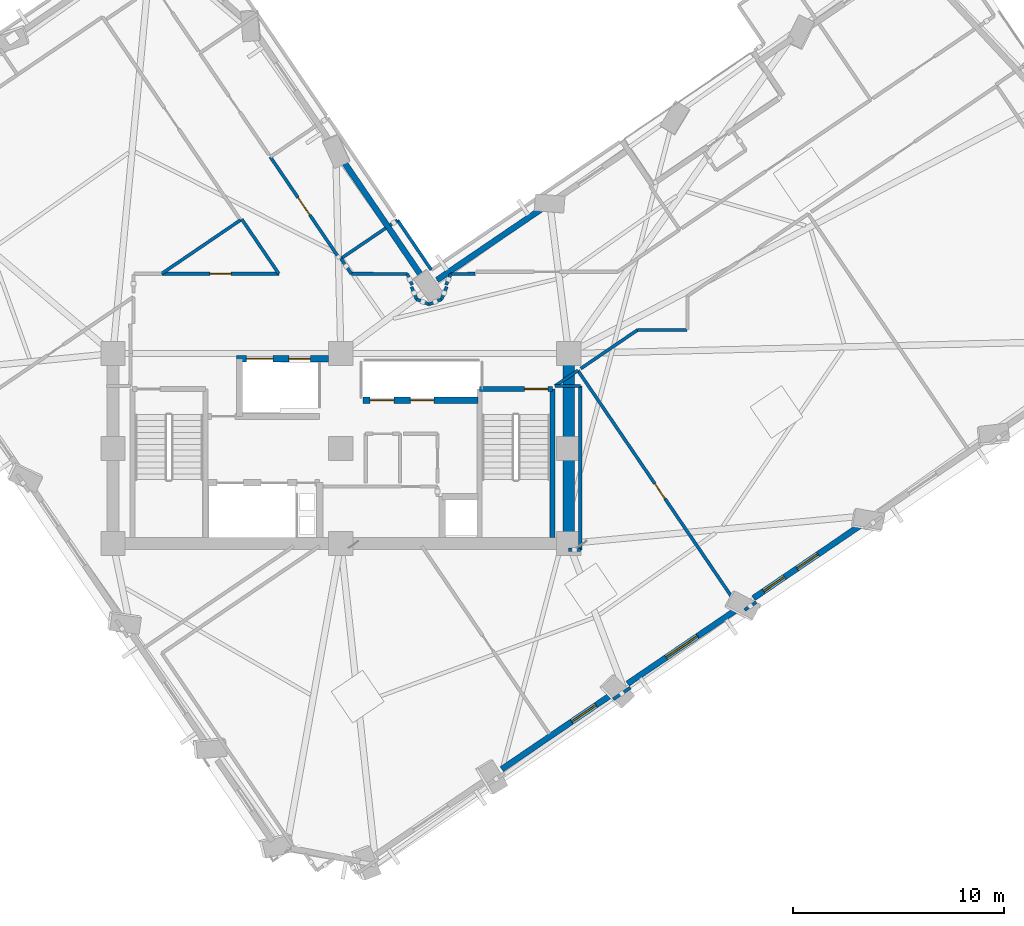
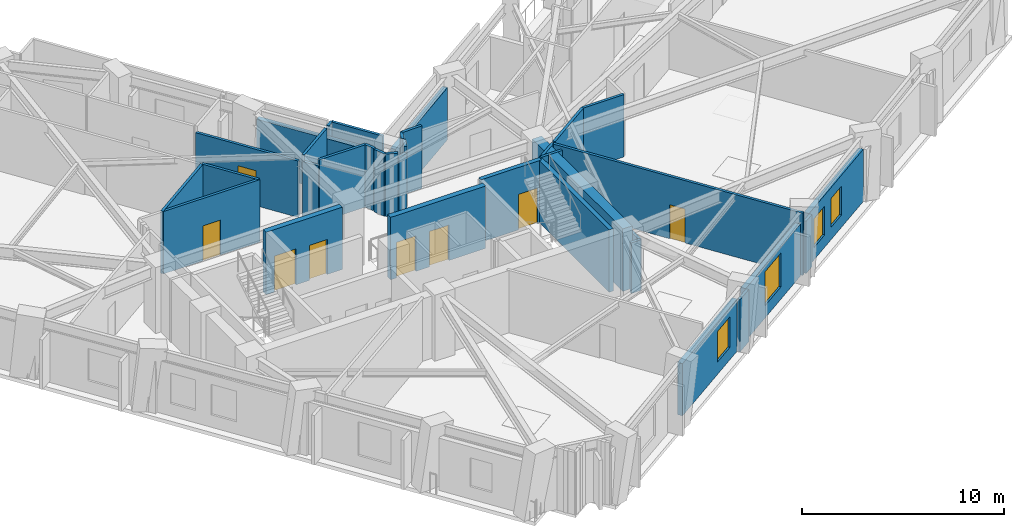
# One storey, part 9 of 16: 35 walls, 8 doors, 4 windows, 12 openings.
"""IFC4 building model written with IfcOpenShell, lengths in metres."""

from ifc_helpers import new_model, si_unit, direction, frame, frame_2d, origin, place, context, subcontext, project, spatial, rectangle, extrude, material, layer, layer_set, type_object, element, fill, save


model = new_model("IFC4")

# Units and contexts
model_context = context("Model", 3, precision=1e-05, world=origin(), true_north=direction((0.0, 1.0)))
body_context = subcontext(model_context, "Body", "Model", "MODEL_VIEW")
ifc_project = project(units=[si_unit("LENGTHUNIT", "METRE"), si_unit("AREAUNIT", "SQUARE_METRE"), si_unit("VOLUMEUNIT", "CUBIC_METRE"), si_unit("PLANEANGLEUNIT", "RADIAN"), si_unit("MASSUNIT", "GRAM", prefix="KILO")], contexts=[model_context])

# Site, building, storey
site_placement = place(None, origin())
site = spatial("IfcSite", under=ifc_project, at=site_placement, CompositionType="ELEMENT")
building_placement = place(site_placement, origin())
building = spatial("IfcBuilding", under=site, at=building_placement, Name="Gaonmaruhae Medical Tower", CompositionType="ELEMENT")
storey_placement = place(building_placement, frame((0.0, 0.0, 169.800048828125)))
storey = spatial("IfcBuildingStorey", under=building, at=storey_placement, Name="L40", CompositionType="ELEMENT", Elevation=169.800048828125)

# Wall
ifc_material_1 = material(Name="Concrete C50/60", Category="concrete")
ifc_layer_1 = layer(ifc_material_1, 0.550048828125)
ifc_layer_set_1 = layer_set([ifc_layer_1], Name="Concrete C50/60")
wall_type_1 = type_object("IfcWallType", Name="CW-550 Mid-High Core Shear Wall", PredefinedType="SHEAR", material=ifc_layer_set_1)
wall_1_placement = place(storey_placement, frame((35.60009765625, 7.800048828125, 0.0), z_axis=(0.0, 0.0, 1.0), x_axis=(0.0, 1.0, 0.0)))
element("IfcWall", 1, at=wall_1_placement, inside=storey, type_object=wall_type_1, Name="L40 Core Shear Wall CSW-E1", PredefinedType="SHEAR", context=body_context, shape_type="SweptSolid", body=[
    extrude(rectangle(XDim=9.0, YDim=0.550048828125, at=frame_2d((4.5, 0.0))), origin(), (0.0, 0.0, 1.0), 3.780029296875),
])

# Wall, opening, window
ifc_material_2 = material(Name="Precast concrete C45/55", Category="concrete")
ifc_layer_2 = layer(ifc_material_2, 0.280029296875)
ifc_layer_set_2 = layer_set([ifc_layer_2], Name="Precast concrete C45/55")
wall_type_2 = type_object("IfcWallType", Name="EW-280 Upper Precast Masonry-Frame Facade Wall", PredefinedType="SOLIDWALL", material=ifc_layer_set_2)
wall_2_placement = place(storey_placement, frame((37.583740234375, 0.60546875, 0.0), z_axis=(0.0, 0.0, 1.0), x_axis=(-0.827083071676, -0.562079703019, 0.0)))
wall_2 = element("IfcWall", 2, at=wall_2_placement, inside=storey, type_object=wall_type_2, Name="L40 Precast Masonry-Frame Wall S02-S03", PredefinedType="SOLIDWALL", context=body_context, shape_type="SweptSolid", body=[
    extrude(rectangle(XDim=6.234375, YDim=0.280029296875, at=frame_2d((3.1171875, 0.0))), origin(), (0.0, 0.0, 1.0), 3.1650390625),
])
opening_1_placement = place(wall_2_placement, frame((0.831787109375, 0.0, 0.75)))
opening_1 = element("IfcOpeningElement", 3, at=opening_1_placement, cuts=wall_2, Name="Opening WN-03", PredefinedType="OPENING", context=body_context, shape_type="SweptSolid", body=[
    extrude(rectangle(XDim=1.39990234375, YDim=1.85009765625, at=frame_2d((0.699951171875, 0.925048828125))), frame((0.0, 0.14990234375, 0.0), z_axis=(0.0, -1.0, 0.0), x_axis=(1.0, 0.0, 0.0)), (0.0, 0.0, 1.0), 0.300048828125),
])
ifc_material_3 = material(Name="Anodised aluminium and Low-E double glazing", Category="aluminium")
window_type_1 = type_object("IfcWindowType", Name="WN-03 Isolation Ward Punched Window 1400x1850", PartitioningType="SINGLE_PANEL", PredefinedType="WINDOW", material=ifc_material_3)
window_1_placement = place(opening_1_placement, origin())
window_1 = element("IfcWindow", 4, at=window_1_placement, inside=storey, type_object=window_type_1, Name="L40 Modular Facade Window S02", OverallHeight=1.85009765625, OverallWidth=1.39990234375, PartitioningType="SINGLE_PANEL", PredefinedType="WINDOW", context=body_context, shape_type="SweptSolid", body=[
    extrude(rectangle(XDim=1.39990234375, YDim=1.85009765625, at=frame_2d((0.699951171875, 0.925048828125))), frame((0.0, 0.030029296875, 0.0), z_axis=(0.0, -1.0, 0.0), x_axis=(1.0, 0.0, 0.0)), (0.0, 0.0, 1.0), 0.06005859375),
])
fill(opening_1, window_1)

wall_3_placement = place(storey_placement, frame((43.533203125, 4.648681640625, 0.0), z_axis=(0.0, 0.0, 1.0), x_axis=(-0.827079193972, -0.5620854089, 0.0)))
wall_3 = element("IfcWall", 5, at=wall_3_placement, inside=storey, type_object=wall_type_2, Name="L40 Precast Masonry-Frame Wall S03-S04", PredefinedType="SOLIDWALL", context=body_context, shape_type="SweptSolid", body=[
    extrude(rectangle(XDim=6.214111328125, YDim=0.280029296875, at=frame_2d((3.10693359375, 0.0))), origin(), (0.0, 0.0, 1.0), 3.1650390625),
])
opening_2_placement = place(wall_3_placement, frame((2.20556640625, 0.0, 0.75)))
opening_2 = element("IfcOpeningElement", 6, at=opening_2_placement, cuts=wall_3, Name="Opening WN-04", PredefinedType="OPENING", context=body_context, shape_type="SweptSolid", body=[
    extrude(rectangle(XDim=1.800048828125, YDim=2.050048828125, at=frame_2d((0.89990234375, 1.02490234375))), frame((0.0, 0.14990234375, 0.0), z_axis=(0.0, -1.0, 0.0), x_axis=(1.0, 0.0, 0.0)), (0.0, 0.0, 1.0), 0.300048828125),
])
window_type_2 = type_object("IfcWindowType", Name="WN-04 Clinic & Consult Punched Window 1800x2050", PartitioningType="SINGLE_PANEL", PredefinedType="WINDOW", material=ifc_material_3)
window_2_placement = place(opening_2_placement, origin())
window_2 = element("IfcWindow", 7, at=window_2_placement, inside=storey, type_object=window_type_2, Name="L40 Modular Facade Window S03", OverallHeight=2.050048828125, OverallWidth=1.800048828125, PartitioningType="SINGLE_PANEL", PredefinedType="WINDOW", context=body_context, shape_type="SweptSolid", body=[
    extrude(rectangle(XDim=1.800048828125, YDim=2.050048828125, at=frame_2d((0.89990234375, 1.02490234375))), frame((0.0, 0.030029296875, 0.0), z_axis=(0.0, -1.0, 0.0), x_axis=(1.0, 0.0, 0.0)), (0.0, 0.0, 1.0), 0.06005859375),
])
fill(opening_2, window_2)

# Wall, openings, windows
wall_4_placement = place(storey_placement, frame((49.488525390625, 8.696044921875, 0.0), z_axis=(0.0, 0.0, 1.0), x_axis=(-0.827074937451, -0.562091672096, 0.0)))
wall_4 = element("IfcWall", 8, at=wall_4_placement, inside=storey, type_object=wall_type_2, Name="L40 Precast Masonry-Frame Wall S04-S05", PredefinedType="SOLIDWALL", context=body_context, shape_type="SweptSolid", body=[
    extrude(rectangle(XDim=6.208984375, YDim=0.280029296875, at=frame_2d((3.1044921875, 0.0))), origin(), (0.0, 0.0, 1.0), 3.1650390625),
])
opening_3_placement = place(wall_4_placement, frame((2.504638671875, 0.0, 0.75)))
opening_3 = element("IfcOpeningElement", 9, at=opening_3_placement, cuts=wall_4, Name="Opening WN-05", PredefinedType="OPENING", context=body_context, shape_type="SweptSolid", body=[
    extrude(rectangle(XDim=1.199951171875, YDim=1.75, at=frame_2d((0.60009765625, 0.875))), frame((0.0, 0.14990234375, 0.0), z_axis=(0.0, -1.0, 0.0), x_axis=(1.0, 0.0, 0.0)), (0.0, 0.0, 1.0), 0.300048828125),
])
opening_4_placement = place(wall_4_placement, frame((4.421630859375, 0.0, 0.75)))
opening_4 = element("IfcOpeningElement", 10, at=opening_4_placement, cuts=wall_4, Name="Opening WN-05", PredefinedType="OPENING", context=body_context, shape_type="SweptSolid", body=[
    extrude(rectangle(XDim=1.199951171875, YDim=1.75, at=frame_2d((0.60009765625, 0.875))), frame((0.0, 0.14990234375, 0.0), z_axis=(0.0, -1.0, 0.0), x_axis=(1.0, 0.0, 0.0)), (0.0, 0.0, 1.0), 0.300048828125),
])
window_type_3 = type_object("IfcWindowType", Name="WN-05 Support & Staff Punched Window 1200x1750", PartitioningType="SINGLE_PANEL", PredefinedType="WINDOW", material=ifc_material_3)
window_3_placement = place(opening_3_placement, origin())
window_3 = element("IfcWindow", 11, at=window_3_placement, inside=storey, type_object=window_type_3, Name="L40 Modular Facade Window S04", OverallHeight=1.75, OverallWidth=1.199951171875, PartitioningType="SINGLE_PANEL", PredefinedType="WINDOW", context=body_context, shape_type="SweptSolid", body=[
    extrude(rectangle(XDim=1.199951171875, YDim=1.75, at=frame_2d((0.60009765625, 0.875))), frame((0.0, 0.030029296875, 0.0), z_axis=(0.0, -1.0, 0.0), x_axis=(1.0, 0.0, 0.0)), (0.0, 0.0, 1.0), 0.06005859375),
])
fill(opening_3, window_3)
window_4_placement = place(opening_4_placement, origin())
window_4 = element("IfcWindow", 12, at=window_4_placement, inside=storey, type_object=window_type_3, Name="L40 Modular Facade Window S04B", OverallHeight=1.75, OverallWidth=1.199951171875, PartitioningType="SINGLE_PANEL", PredefinedType="WINDOW", context=body_context, shape_type="SweptSolid", body=[
    extrude(rectangle(XDim=1.199951171875, YDim=1.75, at=frame_2d((0.60009765625, 0.875))), frame((0.0, 0.030029296875, 0.0), z_axis=(0.0, -1.0, 0.0), x_axis=(1.0, 0.0, 0.0)), (0.0, 0.0, 1.0), 0.06005859375),
])
fill(opening_4, window_4)

# Walls
wall_5_placement = place(storey_placement, frame((29.35888671875, 20.28564453125, 0.0), z_axis=(0.0, 0.0, 1.0), x_axis=(0.82710854775, 0.56204221393, 0.0)))
element("IfcWall", 13, at=wall_5_placement, inside=storey, type_object=wall_type_2, Name="L40 Precast Masonry-Frame Wall EN03-KN01", PredefinedType="SOLIDWALL", context=body_context, shape_type="SweptSolid", body=[
    extrude(rectangle(XDim=5.960205078125, YDim=0.280029296875, at=frame_2d((2.97998046875, 0.0))), origin(), (0.0, 0.0, 1.0), 3.1650390625),
])
wall_6_placement = place(storey_placement, frame((28.693115234375, 20.3671875, 0.0), z_axis=(0.0, 0.0, 1.0), x_axis=(-0.562095643109, 0.827072238682, 0.0)))
element("IfcWall", 14, at=wall_6_placement, inside=storey, type_object=wall_type_2, Name="L40 Precast Masonry-Frame Wall KN01-NE01", PredefinedType="SOLIDWALL", context=body_context, shape_type="SweptSolid", body=[
    extrude(rectangle(XDim=6.760009765625, YDim=0.280029296875, at=frame_2d((3.3798828125, 0.0))), origin(), (0.0, 0.0, 1.0), 3.1650390625),
])
ifc_material_4 = material(Name="Gypsum board partition", Category="gypsum")
ifc_layer_3 = layer(ifc_material_4, 0.14990234375)
ifc_layer_set_3 = layer_set([ifc_layer_3], Name="Gypsum board partition")
wall_type_3 = type_object("IfcWallType", Name="PW-150 Rated Clinical Corridor Partition", PredefinedType="PARTITIONING", material=ifc_layer_set_3)
wall_7_placement = place(storey_placement, frame((36.14990234375, 15.260009765625, 0.0), z_axis=(0.0, 0.0, 1.0), x_axis=(-1.0, 0.0, 0.0)))
element("IfcWall", 15, at=wall_7_placement, inside=storey, type_object=wall_type_3, Name="L40 Interior Partition L40-SUP02-16", PredefinedType="PARTITIONING", context=body_context, shape_type="SweptSolid", body=[
    extrude(rectangle(XDim=1.198974609375, YDim=0.14990234375, at=frame_2d((0.599609375, 0.0))), origin(), (0.0, 0.0, 1.0), 3.780029296875),
])
wall_8_placement = place(storey_placement, frame((34.950927734375, 15.260009765625, 0.0), z_axis=(0.0, 0.0, 1.0), x_axis=(0.827290216258, 0.561774775229, 0.0)))
element("IfcWall", 16, at=wall_8_placement, inside=storey, type_object=wall_type_3, Name="L40 Interior Partition L40-SUP02-17", PredefinedType="PARTITIONING", context=body_context, shape_type="SweptSolid", body=[
    extrude(rectangle(XDim=1.310302734375, YDim=0.14990234375, at=frame_2d((0.6552734375, 0.0))), origin(), (0.0, 0.0, 1.0), 3.780029296875),
])

# Wall, opening, door
wall_9_placement = place(storey_placement, frame((36.034912109375, 15.99609375, 0.0), z_axis=(0.0, 0.0, 1.0), x_axis=(0.562080635052, -0.827082438273, 0.0)))
wall_9 = element("IfcWall", 17, at=wall_9_placement, inside=storey, type_object=wall_type_3, Name="L40 Interior Partition L40-SUP02-18", PredefinedType="PARTITIONING", context=body_context, shape_type="SweptSolid", body=[
    extrude(rectangle(XDim=13.829345703125, YDim=0.14990234375, at=frame_2d((6.91455078125, 0.0))), origin(), (0.0, 0.0, 1.0), 3.780029296875),
])
opening_5_placement = place(wall_9_placement, frame((6.484619140625, 0.0, 0.0)))
opening_5 = element("IfcOpeningElement", 18, at=opening_5_placement, cuts=wall_9, Name="Opening AD-01", PredefinedType="OPENING", context=body_context, shape_type="SweptSolid", body=[
    extrude(rectangle(XDim=0.860107421875, YDim=2.06005859375, at=frame_2d((0.43017578125, 1.030029296875))), frame((0.0, 0.0849609375, 0.0), z_axis=(0.0, -1.0, 0.0), x_axis=(1.0, 0.0, 0.0)), (0.0, 0.0, 1.0), 0.169921875),
])
ifc_material_5 = material(Name="Powder-coated steel access door", Category="steel")
door_type_1 = type_object("IfcDoorType", Name="AD-01 Riser & Closet Access Fire Door 860x2060", OperationType="NOTDEFINED", PredefinedType="DOOR", material=ifc_material_5)
door_1_placement = place(opening_5_placement, origin())
door_1 = element("IfcDoor", 19, at=door_1_placement, inside=storey, type_object=door_type_1, Name="L40 Clinical Biomedical Charting Office Sliding Door", OperationType="SLIDING_TO_LEFT", OverallHeight=2.06005859375, OverallWidth=0.860107421875, PredefinedType="DOOR", context=body_context, shape_type="SweptSolid", body=[
    extrude(rectangle(XDim=0.860107421875, YDim=2.06005859375, at=frame_2d((0.43017578125, 1.030029296875))), frame((0.0, 0.02490234375, 0.0), z_axis=(0.0, -1.0, 0.0), x_axis=(1.0, 0.0, 0.0)), (0.0, 0.0, 1.0), 0.050048828125),
])
fill(opening_5, door_1)

# Walls
wall_10_placement = place(storey_placement, frame((38.52294921875, 0.966064453125, 0.0), z_axis=(0.0, 0.0, 1.0), x_axis=(-0.826838427484, -0.562439521047, 0.0)))
element("IfcWall", 20, at=wall_10_placement, inside=storey, type_object=wall_type_3, Name="L40 Interior Partition L40-SUP02-19", PredefinedType="PARTITIONING", context=body_context, shape_type="SweptSolid", body=[
    extrude(rectangle(XDim=0.979736328125, YDim=0.14990234375, at=frame_2d((0.48974609375, 0.0))), origin(), (0.0, 0.0, 1.0), 3.1650390625),
])
wall_11_placement = place(storey_placement, frame((35.60009765625, 7.5, 0.0), z_axis=(0.0, 0.0, 1.0), x_axis=(1.0, 0.0, 0.0)))
element("IfcWall", 21, at=wall_11_placement, inside=storey, type_object=wall_type_3, Name="L40 Interior Partition L40-SUP02-20", PredefinedType="PARTITIONING", context=body_context, shape_type="SweptSolid", body=[
    extrude(rectangle(XDim=0.5498046875, YDim=0.14990234375, at=frame_2d((0.27490234375, 0.0))), origin(), (0.0, 0.0, 1.0), 3.06494140625),
])
wall_12_placement = place(storey_placement, frame((36.14990234375, 7.5, 0.0), z_axis=(0.0, 0.0, 1.0), x_axis=(0.0, 1.0, 0.0)))
element("IfcWall", 22, at=wall_12_placement, inside=storey, type_object=wall_type_3, Name="L40 Interior Partition L40-SUP02-21", PredefinedType="PARTITIONING", context=body_context, shape_type="SweptSolid", body=[
    extrude(rectangle(XDim=7.760009765625, YDim=0.14990234375, at=frame_2d((3.8798828125, 0.0))), origin(), (0.0, 0.0, 1.0), 3.06494140625),
])
wall_13_placement = place(storey_placement, frame((44.48291015625, 5.01611328125, 0.0), z_axis=(0.0, 0.0, 1.0), x_axis=(-0.826981827203, -0.562228652307, 0.0)))
element("IfcWall", 23, at=wall_13_placement, inside=storey, type_object=wall_type_3, Name="L40 Interior Partition L40-SUP03-26", PredefinedType="PARTITIONING", context=body_context, shape_type="SweptSolid", body=[
    extrude(rectangle(XDim=0.656494140625, YDim=0.14990234375, at=frame_2d((0.328125, 0.0))), origin(), (0.0, 0.0, 1.0), 3.1650390625),
])
wall_14_placement = place(storey_placement, frame((36.1669921875, 16.0859375, 0.0), z_axis=(0.0, 0.0, 1.0), x_axis=(0.827114319799, 0.562033719614, 0.0)))
element("IfcWall", 24, at=wall_14_placement, inside=storey, type_object=wall_type_3, Name="L40 Interior Partition L40-SUP03-27", PredefinedType="PARTITIONING", context=body_context, shape_type="SweptSolid", body=[
    extrude(rectangle(XDim=3.26318359375, YDim=0.14990234375, at=frame_2d((1.631591796875, 0.0))), origin(), (0.0, 0.0, 1.0), 3.780029296875),
])
wall_15_placement = place(storey_placement, frame((38.865966796875, 17.919921875, 0.0), z_axis=(0.0, 0.0, 1.0), x_axis=(1.0, 0.0, 0.0)))
element("IfcWall", 25, at=wall_15_placement, inside=storey, type_object=wall_type_3, Name="L40 Interior Partition L40-SUP03-28", PredefinedType="PARTITIONING", context=body_context, shape_type="SweptSolid", body=[
    extrude(rectangle(XDim=2.3369140625, YDim=0.14990234375, at=frame_2d((1.16845703125, 0.0))), origin(), (0.0, 0.0, 1.0), 3.780029296875),
])
wall_16_placement = place(storey_placement, frame((20.0458984375, 23.1279296875, 0.0), z_axis=(0.0, 0.0, 1.0), x_axis=(-0.826993630253, -0.562211290816, 0.0)))
element("IfcWall", 26, at=wall_16_placement, inside=storey, type_object=wall_type_3, Name="L40 Interior Partition L40-WOF06-52", PredefinedType="PARTITIONING", context=body_context, shape_type="SweptSolid", body=[
    extrude(rectangle(XDim=4.53173828125, YDim=0.14990234375, at=frame_2d((2.265869140625, 0.0))), origin(), (0.0, 0.0, 1.0), 3.780029296875),
])
wall_17_placement = place(storey_placement, frame((31.169921875, 20.580078125, 0.0), z_axis=(0.0, 0.0, 1.0), x_axis=(-0.999990247831, -0.004416360716, 0.0)))
element("IfcWall", 27, at=wall_17_placement, inside=storey, type_object=wall_type_3, Name="L40 Interior Partition L40-IE01-54", PredefinedType="PARTITIONING", context=body_context, shape_type="SweptSolid", body=[
    extrude(rectangle(XDim=1.160888671875, YDim=0.14990234375, at=frame_2d((0.58056640625, 0.0))), origin(), (0.0, 0.0, 1.0), 3.780029296875),
])
wall_18_placement = place(storey_placement, frame((30.009033203125, 20.574951171875, 0.0), z_axis=(0.0, 0.0, 1.0), x_axis=(-0.389808600433, -0.920895898041, 0.0)))
element("IfcWall", 28, at=wall_18_placement, inside=storey, type_object=wall_type_3, Name="L40 Interior Partition L40-IE01-55", PredefinedType="PARTITIONING", context=body_context, shape_type="SweptSolid", body=[
    extrude(rectangle(XDim=0.56689453125, YDim=0.14990234375, at=frame_2d((0.283447265625, 0.0))), origin(), (0.0, 0.0, 1.0), 3.780029296875),
])
wall_19_placement = place(storey_placement, frame((29.81494140625, 19.964111328125, 0.0), z_axis=(0.0, 0.0, 1.0), x_axis=(-0.381980268386, -0.924170479167, 0.0)))
element("IfcWall", 29, at=wall_19_placement, inside=storey, type_object=wall_type_3, Name="L40 Interior Partition L40-IE01-56", PredefinedType="PARTITIONING", context=body_context, shape_type="SweptSolid", body=[
    extrude(rectangle(XDim=0.638427734375, YDim=0.14990234375, at=frame_2d((0.3193359375, 0.0))), origin(), (0.0, 0.0, 1.0), 3.780029296875),
])
wall_20_placement = place(storey_placement, frame((29.571044921875, 19.3740234375, 0.0), z_axis=(0.0, 0.0, 1.0), x_axis=(-0.923811477415, -0.382847690599, 0.0)))
element("IfcWall", 30, at=wall_20_placement, inside=storey, type_object=wall_type_3, Name="L40 Interior Partition L40-IE01-57", PredefinedType="PARTITIONING", context=body_context, shape_type="SweptSolid", body=[
    extrude(rectangle(XDim=0.6376953125, YDim=0.14990234375, at=frame_2d((0.31884765625, 0.0))), origin(), (0.0, 0.0, 1.0), 3.4150390625),
])
wall_21_placement = place(storey_placement, frame((28.98193359375, 19.1298828125, 0.0), z_axis=(0.0, 0.0, 1.0), x_axis=(-0.923979554509, 0.382441868588, 0.0)))
element("IfcWall", 31, at=wall_21_placement, inside=storey, type_object=wall_type_3, Name="L40 Interior Partition L40-IE01-58", PredefinedType="PARTITIONING", context=body_context, shape_type="SweptSolid", body=[
    extrude(rectangle(XDim=0.638427734375, YDim=0.14990234375, at=frame_2d((0.3193359375, 0.0))), origin(), (0.0, 0.0, 1.0), 3.780029296875),
])
wall_22_placement = place(storey_placement, frame((28.39208984375, 19.3740234375, 0.0), z_axis=(0.0, 0.0, 1.0), x_axis=(-0.382306769343, 0.924035461503, 0.0)))
element("IfcWall", 32, at=wall_22_placement, inside=storey, type_object=wall_type_3, Name="L40 Interior Partition L40-IE01-59", PredefinedType="PARTITIONING", context=body_context, shape_type="SweptSolid", body=[
    extrude(rectangle(XDim=0.638671875, YDim=0.14990234375, at=frame_2d((0.3193359375, 0.0))), origin(), (0.0, 0.0, 1.0), 3.780029296875),
])
wall_23_placement = place(storey_placement, frame((28.175048828125, 20.052978515625, 0.0), z_axis=(0.0, 0.0, 1.0), x_axis=(-0.393919298579, 0.919145030018, 0.0)))
element("IfcWall", 33, at=wall_23_placement, inside=storey, type_object=wall_type_3, Name="L40 Interior Partition L40-IE01-60", PredefinedType="PARTITIONING", context=body_context, shape_type="SweptSolid", body=[
    extrude(rectangle(XDim=0.56884765625, YDim=0.14990234375, at=frame_2d((0.284423828125, 0.0))), origin(), (0.0, 0.0, 1.0), 3.780029296875),
])
wall_24_placement = place(storey_placement, frame((27.950927734375, 20.575927734375, 0.0), z_axis=(0.0, 0.0, 1.0), x_axis=(-0.999998778176, 0.001563216481, 0.0)))
element("IfcWall", 34, at=wall_24_placement, inside=storey, type_object=wall_type_3, Name="L40 Interior Partition L40-IE01-61", PredefinedType="PARTITIONING", context=body_context, shape_type="SweptSolid", body=[
    extrude(rectangle(XDim=2.655029296875, YDim=0.14990234375, at=frame_2d((1.32763671875, 0.0))), origin(), (0.0, 0.0, 1.0), 3.780029296875),
])
wall_25_placement = place(storey_placement, frame((25.2958984375, 20.580078125, 0.0), z_axis=(0.0, 0.0, 1.0), x_axis=(-0.561590369645, 0.827415407593, 0.0)))
element("IfcWall", 35, at=wall_25_placement, inside=storey, type_object=wall_type_3, Name="L40 Interior Partition L40-IE01-62", PredefinedType="PARTITIONING", context=body_context, shape_type="SweptSolid", body=[
    extrude(rectangle(XDim=0.87255859375, YDim=0.14990234375, at=frame_2d((0.436279296875, 0.0))), origin(), (0.0, 0.0, 1.0), 3.4150390625),
])
wall_26_placement = place(storey_placement, frame((24.805908203125, 21.302001953125, 0.0), z_axis=(0.0, 0.0, 1.0), x_axis=(0.827071116289, 0.562097294604, 0.0)))
element("IfcWall", 36, at=wall_26_placement, inside=storey, type_object=wall_type_3, Name="L40 Interior Partition L40-IE01-63", PredefinedType="PARTITIONING", context=body_context, shape_type="SweptSolid", body=[
    extrude(rectangle(XDim=2.57421875, YDim=0.14990234375, at=frame_2d((1.287109375, 0.0))), origin(), (0.0, 0.0, 1.0), 3.780029296875),
])
wall_27_placement = place(storey_placement, frame((27.125, 22.87890625, 0.0), z_axis=(0.0, 0.0, 1.0), x_axis=(0.827708498205, 0.561158303868, 0.0)))
element("IfcWall", 37, at=wall_27_placement, inside=storey, type_object=wall_type_3, Name="L40 Interior Partition L40-IE01-64", PredefinedType="PARTITIONING", context=body_context, shape_type="SweptSolid", body=[
    extrude(rectangle(XDim=0.43505859375, YDim=0.14990234375, at=frame_2d((0.217529296875, 0.0))), origin(), (0.0, 0.0, 1.0), 3.780029296875),
])
wall_28_placement = place(storey_placement, frame((27.485107421875, 23.123046875, 0.0), z_axis=(0.0, 0.0, 1.0), x_axis=(0.562092073302, -0.827074664786, 0.0)))
element("IfcWall", 38, at=wall_28_placement, inside=storey, type_object=wall_type_3, Name="L40 Interior Partition L40-IE01-65", PredefinedType="PARTITIONING", context=body_context, shape_type="SweptSolid", body=[
    extrude(rectangle(XDim=2.849609375, YDim=0.14990234375, at=frame_2d((1.4248046875, 0.0))), origin(), (0.0, 0.0, 1.0), 3.780029296875),
])

# Wall, opening, door
wall_29_placement = place(storey_placement, frame((24.637939453125, 21.44189453125, 0.0), z_axis=(0.0, 0.0, 1.0), x_axis=(-0.56213996743, 0.827042113207, 0.0)))
wall_29 = element("IfcWall", 39, at=wall_29_placement, inside=storey, type_object=wall_type_3, Name="L40 Interior Partition L40-IN01-87", PredefinedType="PARTITIONING", context=body_context, shape_type="SweptSolid", body=[
    extrude(rectangle(XDim=5.655029296875, YDim=0.14990234375, at=frame_2d((2.82763671875, 0.0))), origin(), (0.0, 0.0, 1.0), 3.4150390625),
])
opening_6_placement = place(wall_29_placement, frame((2.32763671875, 0.0, 0.0)))
opening_6 = element("IfcOpeningElement", 40, at=opening_6_placement, cuts=wall_29, Name="Opening CD-01", PredefinedType="OPENING", context=body_context, shape_type="SweptSolid", body=[
    extrude(rectangle(XDim=1.0, YDim=2.1201171875, at=frame_2d((0.5, 1.06005859375))), frame((0.0, 0.0849609375, 0.0), z_axis=(0.0, -1.0, 0.0), x_axis=(1.0, 0.0, 0.0)), (0.0, 0.0, 1.0), 0.169921875),
])
ifc_material_6 = material(Name="Antimicrobial laminate timber fire door", Category="wood")
door_type_2 = type_object("IfcDoorType", Name="CD-01 Consultation & Physician Office Door 1000x2120", OperationType="NOTDEFINED", PredefinedType="DOOR", material=ifc_material_6)
door_2_placement = place(opening_6_placement, origin())
door_2 = element("IfcDoor", 41, at=door_2_placement, inside=storey, type_object=door_type_2, Name="L40 Physician Consultation Office Door", OperationType="SINGLE_SWING_RIGHT", OverallHeight=2.1201171875, OverallWidth=1.0, PredefinedType="DOOR", context=body_context, shape_type="SweptSolid", body=[
    extrude(rectangle(XDim=1.0, YDim=2.1201171875, at=frame_2d((0.5, 1.06005859375))), frame((0.0, 0.02490234375, 0.0), z_axis=(0.0, -1.0, 0.0), x_axis=(1.0, 0.0, 0.0)), (0.0, 0.0, 1.0), 0.050048828125),
])
fill(opening_6, door_2)

# Wall
wall_30_placement = place(storey_placement, frame((20.10400390625, 23.1669921875, 0.0), z_axis=(0.0, 0.0, 1.0), x_axis=(0.562081553658, -0.827081813993, 0.0)))
element("IfcWall", 42, at=wall_30_placement, inside=storey, type_object=wall_type_3, Name="L40 Interior Partition L40-RM02-99", PredefinedType="PARTITIONING", context=body_context, shape_type="SweptSolid", body=[
    extrude(rectangle(XDim=3.127685546875, YDim=0.14990234375, at=frame_2d((1.56396484375, 0.0))), origin(), (0.0, 0.0, 1.0), 3.780029296875),
])

# Wall, opening, door
wall_31_placement = place(storey_placement, frame((21.862060546875, 20.580078125, 0.0), z_axis=(0.0, 0.0, 1.0), x_axis=(-1.0, 0.0, 0.0)))
wall_31 = element("IfcWall", 43, at=wall_31_placement, inside=storey, type_object=wall_type_3, Name="L40 Interior Partition L40-RM02-100", PredefinedType="PARTITIONING", context=body_context, shape_type="SweptSolid", body=[
    extrude(rectangle(XDim=5.529052734375, YDim=0.14990234375, at=frame_2d((2.7646484375, 0.0))), origin(), (0.0, 0.0, 1.0), 3.780029296875),
])
opening_7_placement = place(wall_31_placement, frame((2.264404296875, 0.0, 0.0)))
opening_7 = element("IfcOpeningElement", 44, at=opening_7_placement, cuts=wall_31, Name="Opening CD-01", PredefinedType="OPENING", context=body_context, shape_type="SweptSolid", body=[
    extrude(rectangle(XDim=1.0, YDim=2.1201171875, at=frame_2d((0.5, 1.06005859375))), frame((0.0, 0.0849609375, 0.0), z_axis=(0.0, -1.0, 0.0), x_axis=(1.0, 0.0, 0.0)), (0.0, 0.0, 1.0), 0.169921875),
])
door_3_placement = place(opening_7_placement, origin())
door_3 = element("IfcDoor", 45, at=door_3_placement, inside=storey, type_object=door_type_2, Name="L40 Care Team Clinical Charting Office Door", OperationType="SINGLE_SWING_LEFT", OverallHeight=2.1201171875, OverallWidth=1.0, PredefinedType="DOOR", context=body_context, shape_type="SweptSolid", body=[
    extrude(rectangle(XDim=1.0, YDim=2.1201171875, at=frame_2d((0.5, 1.06005859375))), frame((0.0, 0.02490234375, 0.0), z_axis=(0.0, -1.0, 0.0), x_axis=(1.0, 0.0, 0.0)), (0.0, 0.0, 1.0), 0.050048828125),
])
fill(opening_7, door_3)

ifc_layer_4 = layer(ifc_material_1, 0.239990234375)
ifc_layer_set_4 = layer_set([ifc_layer_4], Name="Concrete C50/60")
wall_type_4 = type_object("IfcWallType", Name="SW-240 Dogleg Stair Tight Shaft Wall", PredefinedType="SOLIDWALL", material=ifc_layer_set_4)
wall_32_placement = place(storey_placement, frame((31.3701171875, 15.1201171875, 0.0), z_axis=(0.0, 0.0, 1.0), x_axis=(1.0, 0.0, 0.0)))
wall_32 = element("IfcWall", 46, at=wall_32_placement, inside=storey, type_object=wall_type_4, Name="L40 ST-02 Stair Shaft Wall SHW-ST-02-N", PredefinedType="SOLIDWALL", context=body_context, shape_type="SweptSolid", body=[
    extrude(rectangle(XDim=3.4599609375, YDim=0.239990234375, at=frame_2d((1.72998046875, 0.0))), origin(), (0.0, 0.0, 1.0), 3.780029296875),
])
opening_8_placement = place(wall_32_placement, frame((2.139892578125, 0.0, 0.0)))
opening_8 = element("IfcOpeningElement", 47, at=opening_8_placement, cuts=wall_32, Name="Opening FD-01", PredefinedType="OPENING", context=body_context, shape_type="SweptSolid", body=[
    extrude(rectangle(XDim=1.10009765625, YDim=2.14990234375, at=frame_2d((0.550048828125, 1.074951171875))), frame((0.0, 0.1298828125, 0.0), z_axis=(0.0, -1.0, 0.0), x_axis=(1.0, 0.0, 0.0)), (0.0, 0.0, 1.0), 0.260009765625),
])
ifc_material_7 = material(Name="Powder-coated steel fire door", Category="steel")
door_type_3 = type_object("IfcDoorType", Name="FD-01 Escape Stair Protected Fire Door 1100x2150", OperationType="NOTDEFINED", PredefinedType="DOOR", material=ifc_material_7)
door_4_placement = place(opening_8_placement, origin())
door_4 = element("IfcDoor", 48, at=door_4_placement, inside=storey, type_object=door_type_3, Name="L40 ST-02 Protected Escape Stair Door", OperationType="SINGLE_SWING_LEFT", OverallHeight=2.14990234375, OverallWidth=1.10009765625, PredefinedType="DOOR", context=body_context, shape_type="SweptSolid", body=[
    extrude(rectangle(XDim=1.10009765625, YDim=2.14990234375, at=frame_2d((0.550048828125, 1.074951171875))), frame((0.0, 0.02490234375, 0.0), z_axis=(0.0, -1.0, 0.0), x_axis=(1.0, 0.0, 0.0)), (0.0, 0.0, 1.0), 0.050048828125),
])
fill(opening_8, door_4)

# Wall
wall_33_placement = place(storey_placement, frame((34.830078125, 15.1201171875, 0.0), z_axis=(0.0, 0.0, 1.0), x_axis=(0.0, -1.0, 0.0)))
element("IfcWall", 49, at=wall_33_placement, inside=storey, type_object=wall_type_4, Name="L40 ST-02 Stair Shaft Wall SHW-ST-02-E", PredefinedType="SOLIDWALL", context=body_context, shape_type="SweptSolid", body=[
    extrude(rectangle(XDim=7.045166015625, YDim=0.239990234375, at=frame_2d((3.5224609375, 0.0))), origin(), (0.0, 0.0, 1.0), 3.780029296875),
])

# Wall, openings, doors
ifc_layer_5 = layer(ifc_material_1, 0.300048828125)
ifc_layer_set_5 = layer_set([ifc_layer_5], Name="Concrete C50/60")
wall_type_5 = type_object("IfcWallType", Name="SW-300 Stair & Lift Hoistway Shaft Wall", PredefinedType="SOLIDWALL", material=ifc_layer_set_5)
wall_34_placement = place(storey_placement, frame((19.85009765625, 16.550048828125, 0.0), z_axis=(0.0, 0.0, 1.0), x_axis=(1.0, 0.0, 0.0)))
wall_34 = element("IfcWall", 50, at=wall_34_placement, inside=storey, type_object=wall_type_5, Name="L40 Core Shear Wall CSW-NB", PredefinedType="SOLIDWALL", context=body_context, shape_type="SweptSolid", body=[
    extrude(rectangle(XDim=4.375, YDim=0.300048828125, at=frame_2d((2.1875, 0.0))), origin(), (0.0, 0.0, 1.0), 3.780029296875),
])
opening_9_placement = place(wall_34_placement, frame((0.47509765625, 0.0, 0.0)))
opening_9 = element("IfcOpeningElement", 51, at=opening_9_placement, cuts=wall_34, Name="Opening LD-F1", PredefinedType="OPENING", context=body_context, shape_type="SweptSolid", body=[
    extrude(rectangle(XDim=1.25, YDim=2.179931640625, at=frame_2d((0.625, 1.08984375))), frame((0.0, 0.16015625, 0.0), z_axis=(0.0, -1.0, 0.0), x_axis=(1.0, 0.0, 0.0)), (0.0, 0.0, 1.0), 0.320068359375),
])
opening_10_placement = place(wall_34_placement, frame((2.489990234375, 0.0, 0.0)))
opening_10 = element("IfcOpeningElement", 52, at=opening_10_placement, cuts=wall_34, Name="Opening LD-S1", PredefinedType="OPENING", context=body_context, shape_type="SweptSolid", body=[
    extrude(rectangle(XDim=1.02001953125, YDim=2.1201171875, at=frame_2d((0.510009765625, 1.06005859375))), frame((0.0, 0.16015625, 0.0), z_axis=(0.0, -1.0, 0.0), x_axis=(1.0, 0.0, 0.0)), (0.0, 0.0, 1.0), 0.320068359375),
])
ifc_material_8 = material(Name="Brushed stainless steel 316L landing door", Category="steel")
door_type_4 = type_object("IfcDoorType", Name="LD-F1 Firefighting & Bed Lift Sliding Landing Door 1250x2180", OperationType="NOTDEFINED", PredefinedType="DOOR", material=ifc_material_8)
door_5_placement = place(opening_9_placement, origin())
door_5 = element("IfcDoor", 53, at=door_5_placement, inside=storey, type_object=door_type_4, Name="L40 Service/Bed Lift Landing Door BDL-01", OperationType="DOUBLE_DOOR_SLIDING", OverallHeight=2.179931640625, OverallWidth=1.25, PredefinedType="DOOR", context=body_context, shape_type="SweptSolid", body=[
    extrude(rectangle(XDim=1.25, YDim=2.179931640625, at=frame_2d((0.625, 1.08984375))), frame((0.0, 0.02490234375, 0.0), z_axis=(0.0, -1.0, 0.0), x_axis=(1.0, 0.0, 0.0)), (0.0, 0.0, 1.0), 0.050048828125),
])
fill(opening_9, door_5)
ifc_material_9 = material(Name="Brushed stainless steel 304 landing door", Category="steel")
door_type_5 = type_object("IfcDoorType", Name="LD-S1 Service Lift Sliding Landing Door 1020x2120", OperationType="NOTDEFINED", PredefinedType="DOOR", material=ifc_material_9)
door_6_placement = place(opening_10_placement, origin())
door_6 = element("IfcDoor", 54, at=door_6_placement, inside=storey, type_object=door_type_5, Name="L40 Service/Bed Lift Landing Door SVL-01", OperationType="SLIDING_TO_LEFT", OverallHeight=2.1201171875, OverallWidth=1.02001953125, PredefinedType="DOOR", context=body_context, shape_type="SweptSolid", body=[
    extrude(rectangle(XDim=1.02001953125, YDim=2.1201171875, at=frame_2d((0.510009765625, 1.06005859375))), frame((0.0, 0.02490234375, 0.0), z_axis=(0.0, -1.0, 0.0), x_axis=(1.0, 0.0, 0.0)), (0.0, 0.0, 1.0), 0.050048828125),
])
fill(opening_10, door_6)

wall_35_placement = place(storey_placement, frame((25.85009765625, 14.580078125, 0.0), z_axis=(0.0, 0.0, 1.0), x_axis=(1.0, 0.0, 0.0)))
wall_35 = element("IfcWall", 55, at=wall_35_placement, inside=storey, type_object=wall_type_5, Name="L40 Shaft Enclosure Wall SHW-PLN", PredefinedType="SOLIDWALL", context=body_context, shape_type="SweptSolid", body=[
    extrude(rectangle(XDim=5.449951171875, YDim=0.300048828125, at=frame_2d((2.72509765625, 0.0))), origin(), (0.0, 0.0, 1.0), 3.780029296875),
])
opening_11_placement = place(wall_35_placement, frame((0.340087890625, 0.0, 0.0)))
opening_11 = element("IfcOpeningElement", 56, at=opening_11_placement, cuts=wall_35, Name="Opening LD-P1", PredefinedType="OPENING", context=body_context, shape_type="SweptSolid", body=[
    extrude(rectangle(XDim=1.1201171875, YDim=2.14990234375, at=frame_2d((0.56005859375, 1.074951171875))), frame((0.0, 0.16015625, 0.0), z_axis=(0.0, -1.0, 0.0), x_axis=(1.0, 0.0, 0.0)), (0.0, 0.0, 1.0), 0.320068359375),
])
opening_12_placement = place(wall_35_placement, frame((2.239990234375, 0.0, 0.0)))
opening_12 = element("IfcOpeningElement", 57, at=opening_12_placement, cuts=wall_35, Name="Opening LD-P1", PredefinedType="OPENING", context=body_context, shape_type="SweptSolid", body=[
    extrude(rectangle(XDim=1.1201171875, YDim=2.14990234375, at=frame_2d((0.56005859375, 1.074951171875))), frame((0.0, 0.16015625, 0.0), z_axis=(0.0, -1.0, 0.0), x_axis=(1.0, 0.0, 0.0)), (0.0, 0.0, 1.0), 0.320068359375),
])
door_type_6 = type_object("IfcDoorType", Name="LD-P1 Passenger Lift Sliding Landing Door 1120x2150", OperationType="NOTDEFINED", PredefinedType="DOOR", material=ifc_material_9)
door_7_placement = place(opening_11_placement, origin())
door_7 = element("IfcDoor", 58, at=door_7_placement, inside=storey, type_object=door_type_6, Name="L40 Passenger Lift Landing Door PL-M1", OperationType="DOUBLE_DOOR_SLIDING", OverallHeight=2.14990234375, OverallWidth=1.1201171875, PredefinedType="DOOR", context=body_context, shape_type="SweptSolid", body=[
    extrude(rectangle(XDim=1.1201171875, YDim=2.14990234375, at=frame_2d((0.56005859375, 1.074951171875))), frame((0.0, 0.02490234375, 0.0), z_axis=(0.0, -1.0, 0.0), x_axis=(1.0, 0.0, 0.0)), (0.0, 0.0, 1.0), 0.050048828125),
])
fill(opening_11, door_7)
door_8_placement = place(opening_12_placement, origin())
door_8 = element("IfcDoor", 59, at=door_8_placement, inside=storey, type_object=door_type_6, Name="L40 Passenger Lift Landing Door PL-M2", OperationType="DOUBLE_DOOR_SLIDING", OverallHeight=2.14990234375, OverallWidth=1.1201171875, PredefinedType="DOOR", context=body_context, shape_type="SweptSolid", body=[
    extrude(rectangle(XDim=1.1201171875, YDim=2.14990234375, at=frame_2d((0.56005859375, 1.074951171875))), frame((0.0, 0.02490234375, 0.0), z_axis=(0.0, -1.0, 0.0), x_axis=(1.0, 0.0, 0.0)), (0.0, 0.0, 1.0), 0.050048828125),
])
fill(opening_12, door_8)

save(model, "model.ifc")
